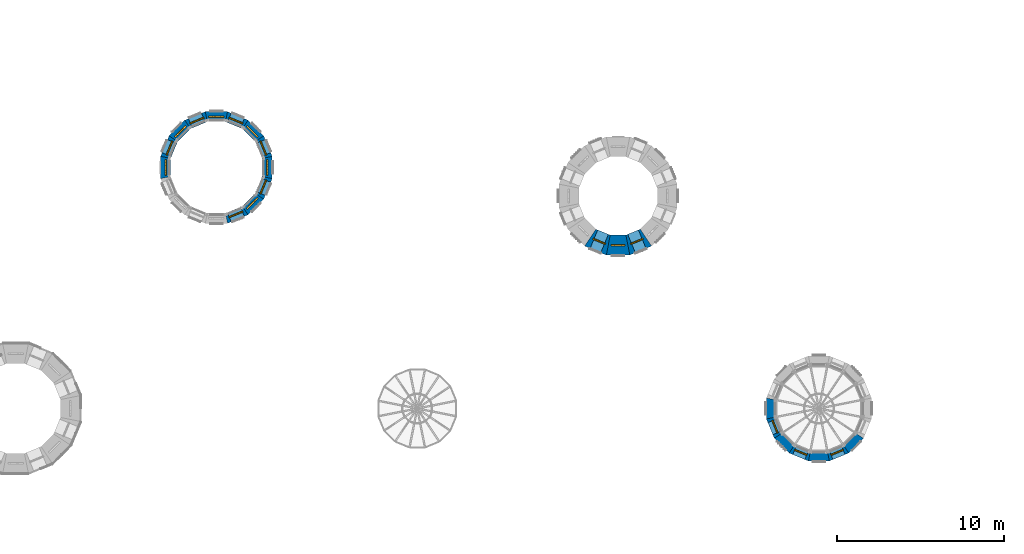
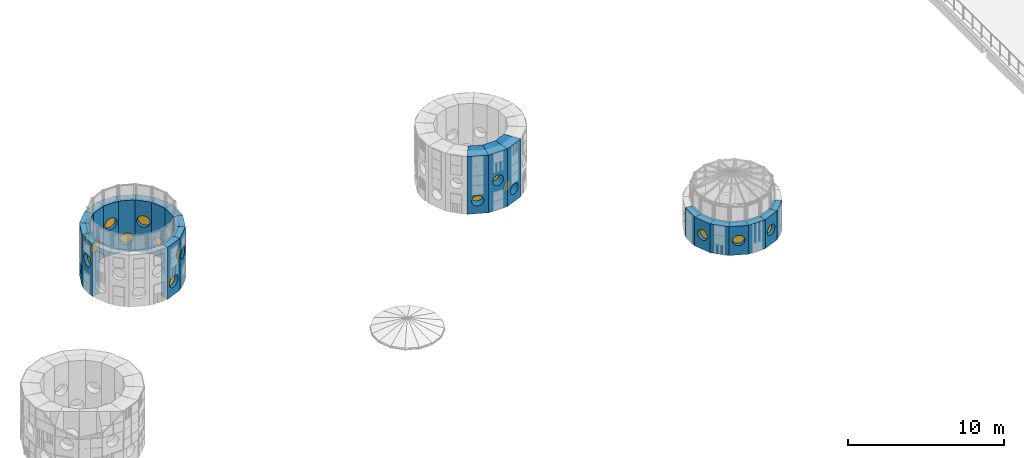
# One storey, part 27 of 42: 22 walls, 18 windows, 18 openings.
"""IFC4 building model written with IfcOpenShell, lengths in metres."""

from ifc_helpers import new_model, si_unit, direction, frame, frame_2d, origin, place, context, subcontext, project, spatial, polyline, circle, outline, extrude, material, layer, layer_set, type_object, element, fill, save


model = new_model("IFC4")

# Units and contexts
model_context = context("Model", 3, precision=1e-05, world=origin(), true_north=direction((0.0, 1.0)))
body_context = subcontext(model_context, "Body", "Model", "MODEL_VIEW")
ifc_project = project(units=[si_unit("LENGTHUNIT", "METRE"), si_unit("AREAUNIT", "SQUARE_METRE"), si_unit("VOLUMEUNIT", "CUBIC_METRE"), si_unit("PLANEANGLEUNIT", "RADIAN"), si_unit("MASSUNIT", "GRAM", prefix="KILO")], contexts=[model_context])

# Site, building, storey
site_placement = place(None, origin())
site = spatial("IfcSite", under=ifc_project, at=site_placement, CompositionType="ELEMENT")
building_placement = place(site_placement, origin())
building = spatial("IfcBuilding", under=site, at=building_placement, Name="Sun Court Science Centre", CompositionType="ELEMENT")
storey_placement = place(building_placement, frame((0.0, 0.0, 20.25)))
storey = spatial("IfcBuildingStorey", under=building, at=storey_placement, Name="L04", CompositionType="ELEMENT", Elevation=20.25)

# Wall, opening, window
ifc_material_1 = material(Name="Concrete C30/37", Category="concrete")
ifc_layer_1 = layer(ifc_material_1, 1.18798828125)
ifc_layer_set_1 = layer_set([ifc_layer_1], Name="Concrete C30/37")
wall_type_1 = type_object("IfcWallType", Name="RC cone ring wall exterior 1188", PredefinedType="SHEAR", material=ifc_layer_set_1)
wall_1_placement = place(storey_placement, frame((40.227294921875, 21.755615234375, -0.300048828125), z_axis=(0.0, 0.0, 1.0), x_axis=(0.923938469192, -0.38254111563, 0.0)))
wall_1 = element("IfcWall", 1, at=wall_1_placement, inside=storey, type_object=wall_type_1, Name="Cone 4 ring wall L04 segment 11", PredefinedType="SHEAR", context=body_context, shape_type="SweptSolid", body=[
    extrude(outline(polyline([(0.0, -0.593994140625), (1.404541015625, -0.59423828125), (1.16845703125, 0.59423828125), (0.236572265625, 0.59423828125), (0.0, -0.593994140625)])), origin(), (0.0, 0.0, 1.0), 4.5),
])
opening_1_placement = place(wall_1_placement, frame((0.30224609375, 0.0, 0.60009765625)))
opening_1 = element("IfcOpeningElement", 2, at=opening_1_placement, cuts=wall_1, Name="Opening WN-L04-038", PredefinedType="OPENING", context=body_context, shape_type="SweptSolid", body=[
    extrude(circle(Radius=0.39990234375, at=frame_2d((0.39990234375, 0.39990234375))), frame((0.0, 0.604248046875, 0.0), z_axis=(0.0, -1.0, 0.0), x_axis=(1.0, 0.0, 0.0)), (0.0, 0.0, 1.0), 1.20849609375),
])
ifc_material_2 = material(Name="Aluminium frame, 6-12-6 glazing", Category="aluminium")
window_type_1 = type_object("IfcWindowType", Name="Round porthole 800", PartitioningType="SINGLE_PANEL", PredefinedType="WINDOW", material=ifc_material_2)
window_1_placement = place(opening_1_placement, origin())
window_1 = element("IfcWindow", 3, at=window_1_placement, inside=storey, type_object=window_type_1, Name="Round porthole cone 4 ring 5 11", OverallHeight=0.800048828125, OverallWidth=0.800048828125, PartitioningType="SINGLE_PANEL", PredefinedType="WINDOW", context=body_context, shape_type="SweptSolid", body=[
    extrude(circle(Radius=0.39990234375, at=frame_2d((0.39990234375, 0.39990234375))), frame((0.0, 0.030029296875, 0.0), z_axis=(0.0, -1.0, 0.0), x_axis=(1.0, 0.0, 0.0)), (0.0, 0.0, 1.0), 0.06005859375),
])
fill(opening_1, window_1)

wall_2_placement = place(storey_placement, frame((41.297607421875, 21.263427734375, -0.300048828125), z_axis=(0.0, 0.0, 1.0), x_axis=(1.0, 0.0, 0.0)))
wall_2 = element("IfcWall", 4, at=wall_2_placement, inside=storey, type_object=wall_type_1, Name="Cone 4 ring wall L04 segment 12", PredefinedType="SHEAR", context=body_context, shape_type="SweptSolid", body=[
    extrude(outline(polyline([(0.0, -0.59423828125), (1.40478515625, -0.59423828125), (1.168212890625, 0.59423828125), (0.236572265625, 0.59423828125), (0.0, -0.59423828125)])), origin(), (0.0, 0.0, 1.0), 4.5),
])
opening_2_placement = place(wall_2_placement, frame((0.30224609375, 0.0, 1.89990234375)))
opening_2 = element("IfcOpeningElement", 5, at=opening_2_placement, cuts=wall_2, Name="Opening WN-L04-046", PredefinedType="OPENING", context=body_context, shape_type="SweptSolid", body=[
    extrude(circle(Radius=0.39990234375, at=frame_2d((0.39990234375, 0.39990234375))), frame((0.0, 0.604248046875, 0.0), z_axis=(0.0, -1.0, 0.0), x_axis=(1.0, 0.0, 0.0)), (0.0, 0.0, 1.0), 1.20849609375),
])
window_2_placement = place(opening_2_placement, origin())
window_2 = element("IfcWindow", 6, at=window_2_placement, inside=storey, type_object=window_type_1, Name="Round porthole cone 4 ring 5 12", OverallHeight=0.800048828125, OverallWidth=0.800048828125, PartitioningType="SINGLE_PANEL", PredefinedType="WINDOW", context=body_context, shape_type="SweptSolid", body=[
    extrude(circle(Radius=0.39990234375, at=frame_2d((0.39990234375, 0.39990234375))), frame((0.0, 0.030029296875, 0.0), z_axis=(0.0, -1.0, 0.0), x_axis=(1.0, 0.0, 0.0)), (0.0, 0.0, 1.0), 0.06005859375),
])
fill(opening_2, window_2)

wall_3_placement = place(storey_placement, frame((42.474853515625, 21.21826171875, -0.300048828125), z_axis=(0.0, 0.0, 1.0), x_axis=(0.923938469192, 0.38254111563, 0.0)))
wall_3 = element("IfcWall", 7, at=wall_3_placement, inside=storey, type_object=wall_type_1, Name="Cone 4 ring wall L04 segment 13", PredefinedType="SHEAR", context=body_context, shape_type="SweptSolid", body=[
    extrude(outline(polyline([(0.000244140625, -0.59423828125), (1.40478515625, -0.593994140625), (1.168212890625, 0.59423828125), (0.236328125, 0.59423828125), (0.000244140625, -0.59423828125)])), origin(), (0.0, 0.0, 1.0), 4.5),
])
opening_3_placement = place(wall_3_placement, frame((0.30224609375, 0.0, 0.60009765625)))
opening_3 = element("IfcOpeningElement", 8, at=opening_3_placement, cuts=wall_3, Name="Opening WN-L04-039", PredefinedType="OPENING", context=body_context, shape_type="SweptSolid", body=[
    extrude(circle(Radius=0.39990234375, at=frame_2d((0.39990234375, 0.39990234375))), frame((0.0, 0.604248046875, 0.0), z_axis=(0.0, -1.0, 0.0), x_axis=(1.0, 0.0, 0.0)), (0.0, 0.0, 1.0), 1.20849609375),
])
window_3_placement = place(opening_3_placement, origin())
window_3 = element("IfcWindow", 9, at=window_3_placement, inside=storey, type_object=window_type_1, Name="Round porthole cone 4 ring 5 13", OverallHeight=0.800048828125, OverallWidth=0.800048828125, PartitioningType="SINGLE_PANEL", PredefinedType="WINDOW", context=body_context, shape_type="SweptSolid", body=[
    extrude(circle(Radius=0.39990234375, at=frame_2d((0.39990234375, 0.39990234375))), frame((0.0, 0.030029296875, 0.0), z_axis=(0.0, -1.0, 0.0), x_axis=(1.0, 0.0, 0.0)), (0.0, 0.0, 1.0), 0.06005859375),
])
fill(opening_3, window_3)

ifc_material_3 = material(Name="Concrete C30/37", Category="concrete")
ifc_layer_2 = layer(ifc_material_3, 0.60009765625)
ifc_layer_set_2 = layer_set([ifc_layer_2], Name="Concrete C30/37")
wall_type_2 = type_object("IfcWallType", Name="RC cone ring wall exterior 600", PredefinedType="SHEAR", material=ifc_layer_set_2)
wall_4_placement = place(storey_placement, frame((21.0576171875, 26.448486328125, -0.300048828125), z_axis=(0.0, 0.0, 1.0), x_axis=(-0.382785205205, 0.923837370253, 0.0)))
wall_4 = element("IfcWall", 10, at=wall_4_placement, inside=storey, type_object=wall_type_2, Name="Cone 2 ring wall L04 segment 1", PredefinedType="SHEAR", context=body_context, shape_type="SweptSolid", body=[
    extrude(outline(polyline([(0.0, -0.2998046875), (1.32666015625, -0.2998046875), (1.20751953125, 0.2998046875), (0.11962890625, 0.300048828125), (0.0, -0.2998046875)])), origin(), (0.0, 0.0, 1.0), 4.050048828125),
])
opening_4_placement = place(wall_4_placement, frame((0.21337890625, 0.0, 0.60009765625)))
opening_4 = element("IfcOpeningElement", 11, at=opening_4_placement, cuts=wall_4, Name="Opening WN-L04-017", PredefinedType="OPENING", context=body_context, shape_type="SweptSolid", body=[
    extrude(circle(Radius=0.449951171875, at=frame_2d((0.449951171875, 0.449951171875))), frame((0.0, 0.31005859375, 0.0), z_axis=(0.0, -1.0, 0.0), x_axis=(1.0, 0.0, 0.0)), (0.0, 0.0, 1.0), 0.6201171875),
])
ifc_material_4 = material(Name="Aluminium frame, 6-12-6 glazing", Category="aluminium")
window_type_2 = type_object("IfcWindowType", Name="Round porthole 900", PartitioningType="SINGLE_PANEL", PredefinedType="WINDOW", material=ifc_material_4)
window_4_placement = place(opening_4_placement, origin())
window_4 = element("IfcWindow", 12, at=window_4_placement, inside=storey, type_object=window_type_2, Name="Round porthole cone 2 ring 5 01", OverallHeight=0.89990234375, OverallWidth=0.89990234375, PartitioningType="SINGLE_PANEL", PredefinedType="WINDOW", context=body_context, shape_type="SweptSolid", body=[
    extrude(circle(Radius=0.449951171875, at=frame_2d((0.449951171875, 0.449951171875))), frame((0.0, 0.030029296875, 0.0), z_axis=(0.0, -1.0, 0.0), x_axis=(1.0, 0.0, 0.0)), (0.0, 0.0, 1.0), 0.06005859375),
])
fill(opening_4, window_4)

wall_5_placement = place(storey_placement, frame((20.61474609375, 27.576904296875, -0.300048828125), z_axis=(0.0, 0.0, 1.0), x_axis=(-0.707106781187, 0.707106781187, 0.0)))
wall_5 = element("IfcWall", 13, at=wall_5_placement, inside=storey, type_object=wall_type_2, Name="Cone 2 ring wall L04 segment 2", PredefinedType="SHEAR", context=body_context, shape_type="SweptSolid", body=[
    extrude(outline(polyline([(-0.000244140625, -0.2998046875), (1.326416015625, -0.300048828125), (1.20703125, 0.300048828125), (0.119384765625, 0.2998046875), (-0.000244140625, -0.2998046875)])), origin(), (0.0, 0.0, 1.0), 4.050048828125),
])
opening_5_placement = place(wall_5_placement, frame((0.21337890625, 0.0, 2.0)))
opening_5 = element("IfcOpeningElement", 14, at=opening_5_placement, cuts=wall_5, Name="Opening WN-L04-025", PredefinedType="OPENING", context=body_context, shape_type="SweptSolid", body=[
    extrude(circle(Radius=0.449951171875, at=frame_2d((0.449951171875, 0.449951171875))), frame((0.0, 0.31005859375, 0.0), z_axis=(0.0, -1.0, 0.0), x_axis=(1.0, 0.0, 0.0)), (0.0, 0.0, 1.0), 0.6201171875),
])
window_5_placement = place(opening_5_placement, origin())
window_5 = element("IfcWindow", 15, at=window_5_placement, inside=storey, type_object=window_type_2, Name="Round porthole cone 2 ring 5 02", OverallHeight=0.89990234375, OverallWidth=0.89990234375, PartitioningType="SINGLE_PANEL", PredefinedType="WINDOW", context=body_context, shape_type="SweptSolid", body=[
    extrude(circle(Radius=0.449951171875, at=frame_2d((0.449951171875, 0.449951171875))), frame((0.0, 0.030029296875, 0.0), z_axis=(0.0, -1.0, 0.0), x_axis=(1.0, 0.0, 0.0)), (0.0, 0.0, 1.0), 0.06005859375),
])
fill(opening_5, window_5)

wall_6_placement = place(storey_placement, frame((19.774169921875, 28.449951171875, -0.300048828125), z_axis=(0.0, 0.0, 1.0), x_axis=(-0.923902440724, 0.382628122364, 0.0)))
wall_6 = element("IfcWall", 16, at=wall_6_placement, inside=storey, type_object=wall_type_2, Name="Cone 2 ring wall L04 segment 3", PredefinedType="SHEAR", context=body_context, shape_type="SweptSolid", body=[
    extrude(outline(polyline([(0.0, -0.2998046875), (1.32666015625, -0.2998046875), (1.207275390625, 0.300048828125), (0.119384765625, 0.30029296875), (0.0, -0.2998046875)])), origin(), (0.0, 0.0, 1.0), 4.050048828125),
])
opening_6_placement = place(wall_6_placement, frame((0.21337890625, 0.0, 0.60009765625)))
opening_6 = element("IfcOpeningElement", 17, at=opening_6_placement, cuts=wall_6, Name="Opening WN-L04-018", PredefinedType="OPENING", context=body_context, shape_type="SweptSolid", body=[
    extrude(circle(Radius=0.449951171875, at=frame_2d((0.449951171875, 0.449951171875))), frame((0.0, 0.31005859375, 0.0), z_axis=(0.0, -1.0, 0.0), x_axis=(1.0, 0.0, 0.0)), (0.0, 0.0, 1.0), 0.6201171875),
])
window_6_placement = place(opening_6_placement, origin())
window_6 = element("IfcWindow", 18, at=window_6_placement, inside=storey, type_object=window_type_2, Name="Round porthole cone 2 ring 5 03", OverallHeight=0.89990234375, OverallWidth=0.89990234375, PartitioningType="SINGLE_PANEL", PredefinedType="WINDOW", context=body_context, shape_type="SweptSolid", body=[
    extrude(circle(Radius=0.449951171875, at=frame_2d((0.449951171875, 0.449951171875))), frame((0.0, 0.030029296875, 0.0), z_axis=(0.0, -1.0, 0.0), x_axis=(1.0, 0.0, 0.0)), (0.0, 0.0, 1.0), 0.06005859375),
])
fill(opening_6, window_6)

wall_7_placement = place(storey_placement, frame((18.663330078125, 28.9345703125, -0.300048828125), z_axis=(0.0, 0.0, 1.0), x_axis=(-1.0, 0.0, 0.0)))
wall_7 = element("IfcWall", 19, at=wall_7_placement, inside=storey, type_object=wall_type_2, Name="Cone 2 ring wall L04 segment 4", PredefinedType="SHEAR", context=body_context, shape_type="SweptSolid", body=[
    extrude(outline(polyline([(0.0, -0.300048828125), (1.32666015625, -0.300048828125), (1.207275390625, 0.2998046875), (0.119384765625, 0.2998046875), (0.0, -0.300048828125)])), origin(), (0.0, 0.0, 1.0), 4.050048828125),
])
opening_7_placement = place(wall_7_placement, frame((0.21337890625, 0.0, 2.0)))
opening_7 = element("IfcOpeningElement", 20, at=opening_7_placement, cuts=wall_7, Name="Opening WN-L04-026", PredefinedType="OPENING", context=body_context, shape_type="SweptSolid", body=[
    extrude(circle(Radius=0.449951171875, at=frame_2d((0.449951171875, 0.449951171875))), frame((0.0, 0.31005859375, 0.0), z_axis=(0.0, -1.0, 0.0), x_axis=(1.0, 0.0, 0.0)), (0.0, 0.0, 1.0), 0.6201171875),
])
window_7_placement = place(opening_7_placement, origin())
window_7 = element("IfcWindow", 21, at=window_7_placement, inside=storey, type_object=window_type_2, Name="Round porthole cone 2 ring 5 04", OverallHeight=0.89990234375, OverallWidth=0.89990234375, PartitioningType="SINGLE_PANEL", PredefinedType="WINDOW", context=body_context, shape_type="SweptSolid", body=[
    extrude(circle(Radius=0.449951171875, at=frame_2d((0.449951171875, 0.449951171875))), frame((0.0, 0.030029296875, 0.0), z_axis=(0.0, -1.0, 0.0), x_axis=(1.0, 0.0, 0.0)), (0.0, 0.0, 1.0), 0.06005859375),
])
fill(opening_7, window_7)

wall_8_placement = place(storey_placement, frame((17.451416015625, 28.95751953125, -0.300048828125), z_axis=(0.0, 0.0, 1.0), x_axis=(-0.923902440724, -0.382628122364, 0.0)))
wall_8 = element("IfcWall", 22, at=wall_8_placement, inside=storey, type_object=wall_type_2, Name="Cone 2 ring wall L04 segment 5", PredefinedType="SHEAR", context=body_context, shape_type="SweptSolid", body=[
    extrude(outline(polyline([(0.0, -0.2998046875), (1.326416015625, -0.2998046875), (1.207275390625, 0.30029296875), (0.119140625, 0.300048828125), (0.0, -0.2998046875)])), origin(), (0.0, 0.0, 1.0), 4.050048828125),
])
opening_8_placement = place(wall_8_placement, frame((0.21337890625, 0.0, 0.60009765625)))
opening_8 = element("IfcOpeningElement", 23, at=opening_8_placement, cuts=wall_8, Name="Opening WN-L04-019", PredefinedType="OPENING", context=body_context, shape_type="SweptSolid", body=[
    extrude(circle(Radius=0.449951171875, at=frame_2d((0.449951171875, 0.449951171875))), frame((0.0, 0.31005859375, 0.0), z_axis=(0.0, -1.0, 0.0), x_axis=(1.0, 0.0, 0.0)), (0.0, 0.0, 1.0), 0.6201171875),
])
window_8_placement = place(opening_8_placement, origin())
window_8 = element("IfcWindow", 24, at=window_8_placement, inside=storey, type_object=window_type_2, Name="Round porthole cone 2 ring 5 05", OverallHeight=0.89990234375, OverallWidth=0.89990234375, PartitioningType="SINGLE_PANEL", PredefinedType="WINDOW", context=body_context, shape_type="SweptSolid", body=[
    extrude(circle(Radius=0.449951171875, at=frame_2d((0.449951171875, 0.449951171875))), frame((0.0, 0.030029296875, 0.0), z_axis=(0.0, -1.0, 0.0), x_axis=(1.0, 0.0, 0.0)), (0.0, 0.0, 1.0), 0.06005859375),
])
fill(opening_8, window_8)

wall_9_placement = place(storey_placement, frame((16.3232421875, 28.514892578125, -0.300048828125), z_axis=(0.0, 0.0, 1.0), x_axis=(-0.707106781187, -0.707106781187, 0.0)))
wall_9 = element("IfcWall", 25, at=wall_9_placement, inside=storey, type_object=wall_type_2, Name="Cone 2 ring wall L04 segment 6", PredefinedType="SHEAR", context=body_context, shape_type="SweptSolid", body=[
    extrude(outline(polyline([(0.0, -0.300048828125), (1.32666015625, -0.2998046875), (1.207275390625, 0.2998046875), (0.119384765625, 0.300048828125), (0.0, -0.300048828125)])), origin(), (0.0, 0.0, 1.0), 4.050048828125),
])
opening_9_placement = place(wall_9_placement, frame((0.21337890625, 0.0, 2.0)))
opening_9 = element("IfcOpeningElement", 26, at=opening_9_placement, cuts=wall_9, Name="Opening WN-L04-027", PredefinedType="OPENING", context=body_context, shape_type="SweptSolid", body=[
    extrude(circle(Radius=0.449951171875, at=frame_2d((0.449951171875, 0.449951171875))), frame((0.0, 0.31005859375, 0.0), z_axis=(0.0, -1.0, 0.0), x_axis=(1.0, 0.0, 0.0)), (0.0, 0.0, 1.0), 0.6201171875),
])
window_9_placement = place(opening_9_placement, origin())
window_9 = element("IfcWindow", 27, at=window_9_placement, inside=storey, type_object=window_type_2, Name="Round porthole cone 2 ring 5 06", OverallHeight=0.89990234375, OverallWidth=0.89990234375, PartitioningType="SINGLE_PANEL", PredefinedType="WINDOW", context=body_context, shape_type="SweptSolid", body=[
    extrude(circle(Radius=0.449951171875, at=frame_2d((0.449951171875, 0.449951171875))), frame((0.0, 0.030029296875, 0.0), z_axis=(0.0, -1.0, 0.0), x_axis=(1.0, 0.0, 0.0)), (0.0, 0.0, 1.0), 0.06005859375),
])
fill(opening_9, window_9)

wall_10_placement = place(storey_placement, frame((15.4501953125, 27.674072265625, -0.300048828125), z_axis=(0.0, 0.0, 1.0), x_axis=(-0.382785205205, -0.923837370253, 0.0)))
wall_10 = element("IfcWall", 28, at=wall_10_placement, inside=storey, type_object=wall_type_2, Name="Cone 2 ring wall L04 segment 7", PredefinedType="SHEAR", context=body_context, shape_type="SweptSolid", body=[
    extrude(outline(polyline([(0.0, -0.2998046875), (1.32666015625, -0.2998046875), (1.20703125, 0.300048828125), (0.119140625, 0.2998046875), (0.0, -0.2998046875)])), origin(), (0.0, 0.0, 1.0), 4.050048828125),
])
opening_10_placement = place(wall_10_placement, frame((0.21337890625, 0.0, 0.60009765625)))
opening_10 = element("IfcOpeningElement", 29, at=opening_10_placement, cuts=wall_10, Name="Opening WN-L04-020", PredefinedType="OPENING", context=body_context, shape_type="SweptSolid", body=[
    extrude(circle(Radius=0.449951171875, at=frame_2d((0.449951171875, 0.449951171875))), frame((0.0, 0.31005859375, 0.0), z_axis=(0.0, -1.0, 0.0), x_axis=(1.0, 0.0, 0.0)), (0.0, 0.0, 1.0), 0.6201171875),
])
window_10_placement = place(opening_10_placement, origin())
window_10 = element("IfcWindow", 30, at=window_10_placement, inside=storey, type_object=window_type_2, Name="Round porthole cone 2 ring 5 07", OverallHeight=0.89990234375, OverallWidth=0.89990234375, PartitioningType="SINGLE_PANEL", PredefinedType="WINDOW", context=body_context, shape_type="SweptSolid", body=[
    extrude(circle(Radius=0.449951171875, at=frame_2d((0.449951171875, 0.449951171875))), frame((0.0, 0.030029296875, 0.0), z_axis=(0.0, -1.0, 0.0), x_axis=(1.0, 0.0, 0.0)), (0.0, 0.0, 1.0), 0.06005859375),
])
fill(opening_10, window_10)

wall_11_placement = place(storey_placement, frame((14.96533203125, 26.563232421875, -0.300048828125), z_axis=(0.0, 0.0, 1.0), x_axis=(0.0, -1.0, 0.0)))
wall_11 = element("IfcWall", 31, at=wall_11_placement, inside=storey, type_object=wall_type_2, Name="Cone 2 ring wall L04 segment 8", PredefinedType="SHEAR", context=body_context, shape_type="SweptSolid", body=[
    extrude(outline(polyline([(0.0, -0.300048828125), (1.326416015625, -0.300048828125), (1.207275390625, 0.300048828125), (0.119140625, 0.300048828125), (0.0, -0.300048828125)])), origin(), (0.0, 0.0, 1.0), 4.050048828125),
])
opening_11_placement = place(wall_11_placement, frame((0.21337890625, 0.0, 2.0)))
opening_11 = element("IfcOpeningElement", 32, at=opening_11_placement, cuts=wall_11, Name="Opening WN-L04-028", PredefinedType="OPENING", context=body_context, shape_type="SweptSolid", body=[
    extrude(circle(Radius=0.449951171875, at=frame_2d((0.449951171875, 0.449951171875))), frame((0.0, 0.31005859375, 0.0), z_axis=(0.0, -1.0, 0.0), x_axis=(1.0, 0.0, 0.0)), (0.0, 0.0, 1.0), 0.6201171875),
])
window_11_placement = place(opening_11_placement, origin())
window_11 = element("IfcWindow", 33, at=window_11_placement, inside=storey, type_object=window_type_2, Name="Round porthole cone 2 ring 5 08", OverallHeight=0.89990234375, OverallWidth=0.89990234375, PartitioningType="SINGLE_PANEL", PredefinedType="WINDOW", context=body_context, shape_type="SweptSolid", body=[
    extrude(circle(Radius=0.449951171875, at=frame_2d((0.449951171875, 0.449951171875))), frame((0.0, 0.030029296875, 0.0), z_axis=(0.0, -1.0, 0.0), x_axis=(1.0, 0.0, 0.0)), (0.0, 0.0, 1.0), 0.06005859375),
])
fill(opening_11, window_11)

wall_12_placement = place(storey_placement, frame((18.548583984375, 22.842529296875, -0.300048828125), z_axis=(0.0, 0.0, 1.0), x_axis=(0.923902440724, 0.382628122364, 0.0)))
wall_12 = element("IfcWall", 34, at=wall_12_placement, inside=storey, type_object=wall_type_2, Name="Cone 2 ring wall L04 segment 13", PredefinedType="SHEAR", context=body_context, shape_type="SweptSolid", body=[
    extrude(outline(polyline([(0.0, -0.300048828125), (1.326416015625, -0.2998046875), (1.207275390625, 0.30029296875), (0.119140625, 0.300048828125), (0.0, -0.300048828125)])), origin(), (0.0, 0.0, 1.0), 4.050048828125),
])
opening_12_placement = place(wall_12_placement, frame((0.21337890625, 0.0, 0.60009765625)))
opening_12 = element("IfcOpeningElement", 35, at=opening_12_placement, cuts=wall_12, Name="Opening WN-L04-023", PredefinedType="OPENING", context=body_context, shape_type="SweptSolid", body=[
    extrude(circle(Radius=0.449951171875, at=frame_2d((0.449951171875, 0.449951171875))), frame((0.0, 0.31005859375, 0.0), z_axis=(0.0, -1.0, 0.0), x_axis=(1.0, 0.0, 0.0)), (0.0, 0.0, 1.0), 0.6201171875),
])
window_12_placement = place(opening_12_placement, origin())
window_12 = element("IfcWindow", 36, at=window_12_placement, inside=storey, type_object=window_type_2, Name="Round porthole cone 2 ring 5 13", OverallHeight=0.89990234375, OverallWidth=0.89990234375, PartitioningType="SINGLE_PANEL", PredefinedType="WINDOW", context=body_context, shape_type="SweptSolid", body=[
    extrude(circle(Radius=0.449951171875, at=frame_2d((0.449951171875, 0.449951171875))), frame((0.0, 0.030029296875, 0.0), z_axis=(0.0, -1.0, 0.0), x_axis=(1.0, 0.0, 0.0)), (0.0, 0.0, 1.0), 0.06005859375),
])
fill(opening_12, window_12)

wall_13_placement = place(storey_placement, frame((19.6767578125, 23.28515625, -0.300048828125), z_axis=(0.0, 0.0, 1.0), x_axis=(0.707106781187, 0.707106781187, 0.0)))
wall_13 = element("IfcWall", 37, at=wall_13_placement, inside=storey, type_object=wall_type_2, Name="Cone 2 ring wall L04 segment 14", PredefinedType="SHEAR", context=body_context, shape_type="SweptSolid", body=[
    extrude(outline(polyline([(0.0, -0.300048828125), (1.326416015625, -0.300048828125), (1.207275390625, 0.2998046875), (0.119384765625, 0.300048828125), (0.0, -0.300048828125)])), origin(), (0.0, 0.0, 1.0), 4.050048828125),
])
opening_13_placement = place(wall_13_placement, frame((0.21337890625, 0.0, 2.0)))
opening_13 = element("IfcOpeningElement", 38, at=opening_13_placement, cuts=wall_13, Name="Opening WN-L04-031", PredefinedType="OPENING", context=body_context, shape_type="SweptSolid", body=[
    extrude(circle(Radius=0.449951171875, at=frame_2d((0.449951171875, 0.449951171875))), frame((0.0, 0.31005859375, 0.0), z_axis=(0.0, -1.0, 0.0), x_axis=(1.0, 0.0, 0.0)), (0.0, 0.0, 1.0), 0.6201171875),
])
window_13_placement = place(opening_13_placement, origin())
window_13 = element("IfcWindow", 39, at=window_13_placement, inside=storey, type_object=window_type_2, Name="Round porthole cone 2 ring 5 14", OverallHeight=0.89990234375, OverallWidth=0.89990234375, PartitioningType="SINGLE_PANEL", PredefinedType="WINDOW", context=body_context, shape_type="SweptSolid", body=[
    extrude(circle(Radius=0.449951171875, at=frame_2d((0.449951171875, 0.449951171875))), frame((0.0, 0.030029296875, 0.0), z_axis=(0.0, -1.0, 0.0), x_axis=(1.0, 0.0, 0.0)), (0.0, 0.0, 1.0), 0.06005859375),
])
fill(opening_13, window_13)

wall_14_placement = place(storey_placement, frame((20.5498046875, 24.1259765625, -0.300048828125), z_axis=(0.0, 0.0, 1.0), x_axis=(0.382785205205, 0.923837370253, 0.0)))
wall_14 = element("IfcWall", 40, at=wall_14_placement, inside=storey, type_object=wall_type_2, Name="Cone 2 ring wall L04 segment 15", PredefinedType="SHEAR", context=body_context, shape_type="SweptSolid", body=[
    extrude(outline(polyline([(-0.000244140625, -0.300048828125), (1.32666015625, -0.2998046875), (1.20703125, 0.300048828125), (0.119140625, 0.2998046875), (-0.000244140625, -0.300048828125)])), origin(), (0.0, 0.0, 1.0), 4.050048828125),
])
opening_14_placement = place(wall_14_placement, frame((0.21337890625, 0.0, 0.60009765625)))
opening_14 = element("IfcOpeningElement", 41, at=opening_14_placement, cuts=wall_14, Name="Opening WN-L04-024", PredefinedType="OPENING", context=body_context, shape_type="SweptSolid", body=[
    extrude(circle(Radius=0.449951171875, at=frame_2d((0.449951171875, 0.449951171875))), frame((0.0, 0.31005859375, 0.0), z_axis=(0.0, -1.0, 0.0), x_axis=(1.0, 0.0, 0.0)), (0.0, 0.0, 1.0), 0.6201171875),
])
window_14_placement = place(opening_14_placement, origin())
window_14 = element("IfcWindow", 42, at=window_14_placement, inside=storey, type_object=window_type_2, Name="Round porthole cone 2 ring 5 15", OverallHeight=0.89990234375, OverallWidth=0.89990234375, PartitioningType="SINGLE_PANEL", PredefinedType="WINDOW", context=body_context, shape_type="SweptSolid", body=[
    extrude(circle(Radius=0.449951171875, at=frame_2d((0.449951171875, 0.449951171875))), frame((0.0, 0.030029296875, 0.0), z_axis=(0.0, -1.0, 0.0), x_axis=(1.0, 0.0, 0.0)), (0.0, 0.0, 1.0), 0.06005859375),
])
fill(opening_14, window_14)

wall_15_placement = place(storey_placement, frame((21.03466796875, 25.236572265625, -0.300048828125), z_axis=(0.0, 0.0, 1.0), x_axis=(0.0, 1.0, 0.0)))
wall_15 = element("IfcWall", 43, at=wall_15_placement, inside=storey, type_object=wall_type_2, Name="Cone 2 ring wall L04 segment 16", PredefinedType="SHEAR", context=body_context, shape_type="SweptSolid", body=[
    extrude(outline(polyline([(0.000244140625, -0.300048828125), (1.32666015625, -0.300048828125), (1.20751953125, 0.300048828125), (0.119384765625, 0.300048828125), (0.000244140625, -0.300048828125)])), origin(), (0.0, 0.0, 1.0), 4.050048828125),
])
opening_15_placement = place(wall_15_placement, frame((0.21337890625, 0.0, 2.0)))
opening_15 = element("IfcOpeningElement", 44, at=opening_15_placement, cuts=wall_15, Name="Opening WN-L04-032", PredefinedType="OPENING", context=body_context, shape_type="SweptSolid", body=[
    extrude(circle(Radius=0.449951171875, at=frame_2d((0.449951171875, 0.449951171875))), frame((0.0, 0.31005859375, 0.0), z_axis=(0.0, -1.0, 0.0), x_axis=(1.0, 0.0, 0.0)), (0.0, 0.0, 1.0), 0.6201171875),
])
window_15_placement = place(opening_15_placement, origin())
window_15 = element("IfcWindow", 45, at=window_15_placement, inside=storey, type_object=window_type_2, Name="Round porthole cone 2 ring 5 16", OverallHeight=0.89990234375, OverallWidth=0.89990234375, PartitioningType="SINGLE_PANEL", PredefinedType="WINDOW", context=body_context, shape_type="SweptSolid", body=[
    extrude(circle(Radius=0.449951171875, at=frame_2d((0.449951171875, 0.449951171875))), frame((0.0, 0.030029296875, 0.0), z_axis=(0.0, -1.0, 0.0), x_axis=(1.0, 0.0, 0.0)), (0.0, 0.0, 1.0), 0.06005859375),
])
fill(opening_15, window_15)

# Wall
wall_16_placement = place(storey_placement, frame((51.161376953125, 12.124267578125, -0.300048828125), z_axis=(0.0, 0.0, 1.0), x_axis=(0.0, -1.0, 0.0)))
element("IfcWall", 46, at=wall_16_placement, inside=storey, type_object=wall_type_2, Name="Cone 5 ring wall L04 segment 8", PredefinedType="SHEAR", context=body_context, shape_type="SweptSolid", body=[
    extrude(outline(polyline([(0.0, -0.2998046875), (1.24853515625, -0.2998046875), (1.129150390625, 0.300048828125), (0.119384765625, 0.300048828125), (0.0, -0.2998046875)])), origin(), (0.0, 0.0, 1.0), 2.25),
])

# Wall, opening, window
wall_17_placement = place(storey_placement, frame((51.138671875, 10.990478515625, -0.300048828125), z_axis=(0.0, 0.0, 1.0), x_axis=(0.38265688181, -0.923890529664, 0.0)))
wall_17 = element("IfcWall", 47, at=wall_17_placement, inside=storey, type_object=wall_type_2, Name="Cone 5 ring wall L04 segment 9", PredefinedType="SHEAR", context=body_context, shape_type="SweptSolid", body=[
    extrude(outline(polyline([(0.0, -0.2998046875), (1.24853515625, -0.2998046875), (1.129150390625, 0.300048828125), (0.119140625, 0.300048828125), (0.0, -0.2998046875)])), origin(), (0.0, 0.0, 1.0), 2.25),
])
opening_16_placement = place(wall_17_placement, frame((0.224365234375, 0.0, 0.72509765625)))
opening_16 = element("IfcOpeningElement", 48, at=opening_16_placement, cuts=wall_17, Name="Opening WN-L04-053", PredefinedType="OPENING", context=body_context, shape_type="SweptSolid", body=[
    extrude(circle(Radius=0.39990234375, at=frame_2d((0.39990234375, 0.39990234375))), frame((0.0, 0.31005859375, 0.0), z_axis=(0.0, -1.0, 0.0), x_axis=(1.0, 0.0, 0.0)), (0.0, 0.0, 1.0), 0.6201171875),
])
window_16_placement = place(opening_16_placement, origin())
window_16 = element("IfcWindow", 49, at=window_16_placement, inside=storey, type_object=window_type_1, Name="Round porthole cone 5 ring 5 09", OverallHeight=0.800048828125, OverallWidth=0.800048828125, PartitioningType="SINGLE_PANEL", PredefinedType="WINDOW", context=body_context, shape_type="SweptSolid", body=[
    extrude(circle(Radius=0.39990234375, at=frame_2d((0.39990234375, 0.39990234375))), frame((0.0, 0.030029296875, 0.0), z_axis=(0.0, -1.0, 0.0), x_axis=(1.0, 0.0, 0.0)), (0.0, 0.0, 1.0), 0.06005859375),
])
fill(opening_16, window_16)

# Wall
wall_18_placement = place(storey_placement, frame((51.551513671875, 9.934326171875, -0.300048828125), z_axis=(0.0, 0.0, 1.0), x_axis=(0.707106781187, -0.707106781187, 0.0)))
element("IfcWall", 50, at=wall_18_placement, inside=storey, type_object=wall_type_2, Name="Cone 5 ring wall L04 segment 10", PredefinedType="SHEAR", context=body_context, shape_type="SweptSolid", body=[
    extrude(outline(polyline([(0.0, -0.300048828125), (1.24853515625, -0.300048828125), (1.129150390625, 0.2998046875), (0.119384765625, 0.2998046875), (0.0, -0.300048828125)])), origin(), (0.0, 0.0, 1.0), 2.25),
])

# Wall, opening, window
wall_19_placement = place(storey_placement, frame((52.3369140625, 9.116455078125, -0.300048828125), z_axis=(0.0, 0.0, 1.0), x_axis=(0.923890529664, -0.38265688181, 0.0)))
wall_19 = element("IfcWall", 51, at=wall_19_placement, inside=storey, type_object=wall_type_2, Name="Cone 5 ring wall L04 segment 11", PredefinedType="SHEAR", context=body_context, shape_type="SweptSolid", body=[
    extrude(outline(polyline([(0.0, -0.2998046875), (1.24853515625, -0.2998046875), (1.12939453125, 0.300048828125), (0.119384765625, 0.300048828125), (0.0, -0.2998046875)])), origin(), (0.0, 0.0, 1.0), 2.25),
])
opening_17_placement = place(wall_19_placement, frame((0.224365234375, 0.0, 0.72509765625)))
opening_17 = element("IfcOpeningElement", 52, at=opening_17_placement, cuts=wall_19, Name="Opening WN-L04-054", PredefinedType="OPENING", context=body_context, shape_type="SweptSolid", body=[
    extrude(circle(Radius=0.39990234375, at=frame_2d((0.39990234375, 0.39990234375))), frame((0.0, 0.31005859375, 0.0), z_axis=(0.0, -1.0, 0.0), x_axis=(1.0, 0.0, 0.0)), (0.0, 0.0, 1.0), 0.6201171875),
])
window_17_placement = place(opening_17_placement, origin())
window_17 = element("IfcWindow", 53, at=window_17_placement, inside=storey, type_object=window_type_1, Name="Round porthole cone 5 ring 5 11", OverallHeight=0.800048828125, OverallWidth=0.800048828125, PartitioningType="SINGLE_PANEL", PredefinedType="WINDOW", context=body_context, shape_type="SweptSolid", body=[
    extrude(circle(Radius=0.39990234375, at=frame_2d((0.39990234375, 0.39990234375))), frame((0.0, 0.030029296875, 0.0), z_axis=(0.0, -1.0, 0.0), x_axis=(1.0, 0.0, 0.0)), (0.0, 0.0, 1.0), 0.06005859375),
])
fill(opening_17, window_17)

# Wall
wall_20_placement = place(storey_placement, frame((53.375732421875, 8.661376953125, -0.300048828125), z_axis=(0.0, 0.0, 1.0), x_axis=(1.0, 0.0, 0.0)))
element("IfcWall", 54, at=wall_20_placement, inside=storey, type_object=wall_type_2, Name="Cone 5 ring wall L04 segment 12", PredefinedType="SHEAR", context=body_context, shape_type="SweptSolid", body=[
    extrude(outline(polyline([(0.0, -0.2998046875), (1.24853515625, -0.2998046875), (1.129150390625, 0.300048828125), (0.119384765625, 0.300048828125), (0.0, -0.2998046875)])), origin(), (0.0, 0.0, 1.0), 2.25),
])

# Wall, opening, window
wall_21_placement = place(storey_placement, frame((54.509521484375, 8.638671875, -0.300048828125), z_axis=(0.0, 0.0, 1.0), x_axis=(0.923890529664, 0.38265688181, 0.0)))
wall_21 = element("IfcWall", 55, at=wall_21_placement, inside=storey, type_object=wall_type_2, Name="Cone 5 ring wall L04 segment 13", PredefinedType="SHEAR", context=body_context, shape_type="SweptSolid", body=[
    extrude(outline(polyline([(0.0, -0.2998046875), (1.24853515625, -0.2998046875), (1.129150390625, 0.300048828125), (0.119140625, 0.300048828125), (0.0, -0.2998046875)])), origin(), (0.0, 0.0, 1.0), 2.25),
])
opening_18_placement = place(wall_21_placement, frame((0.224365234375, 0.0, 0.72509765625)))
opening_18 = element("IfcOpeningElement", 56, at=opening_18_placement, cuts=wall_21, Name="Opening WN-L04-055", PredefinedType="OPENING", context=body_context, shape_type="SweptSolid", body=[
    extrude(circle(Radius=0.39990234375, at=frame_2d((0.39990234375, 0.39990234375))), frame((0.0, 0.31005859375, 0.0), z_axis=(0.0, -1.0, 0.0), x_axis=(1.0, 0.0, 0.0)), (0.0, 0.0, 1.0), 0.6201171875),
])
window_18_placement = place(opening_18_placement, origin())
window_18 = element("IfcWindow", 57, at=window_18_placement, inside=storey, type_object=window_type_1, Name="Round porthole cone 5 ring 5 13", OverallHeight=0.800048828125, OverallWidth=0.800048828125, PartitioningType="SINGLE_PANEL", PredefinedType="WINDOW", context=body_context, shape_type="SweptSolid", body=[
    extrude(circle(Radius=0.39990234375, at=frame_2d((0.39990234375, 0.39990234375))), frame((0.0, 0.030029296875, 0.0), z_axis=(0.0, -1.0, 0.0), x_axis=(1.0, 0.0, 0.0)), (0.0, 0.0, 1.0), 0.06005859375),
])
fill(opening_18, window_18)

# Wall
wall_22_placement = place(storey_placement, frame((55.565673828125, 9.051513671875, -0.300048828125), z_axis=(0.0, 0.0, 1.0), x_axis=(0.707106781187, 0.707106781187, 0.0)))
element("IfcWall", 58, at=wall_22_placement, inside=storey, type_object=wall_type_2, Name="Cone 5 ring wall L04 segment 14", PredefinedType="SHEAR", context=body_context, shape_type="SweptSolid", body=[
    extrude(outline(polyline([(0.0, -0.300048828125), (1.24853515625, -0.300048828125), (1.129150390625, 0.2998046875), (0.119384765625, 0.2998046875), (0.0, -0.300048828125)])), origin(), (0.0, 0.0, 1.0), 2.25),
])

save(model, "model.ifc")
